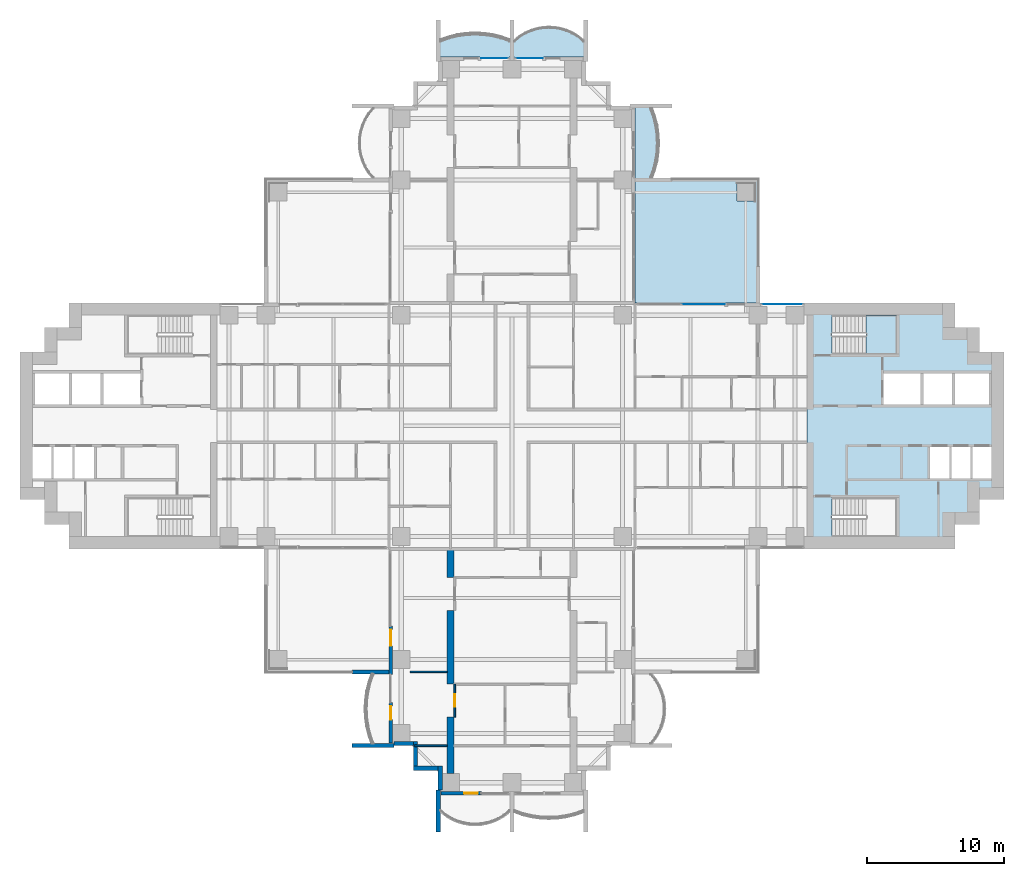
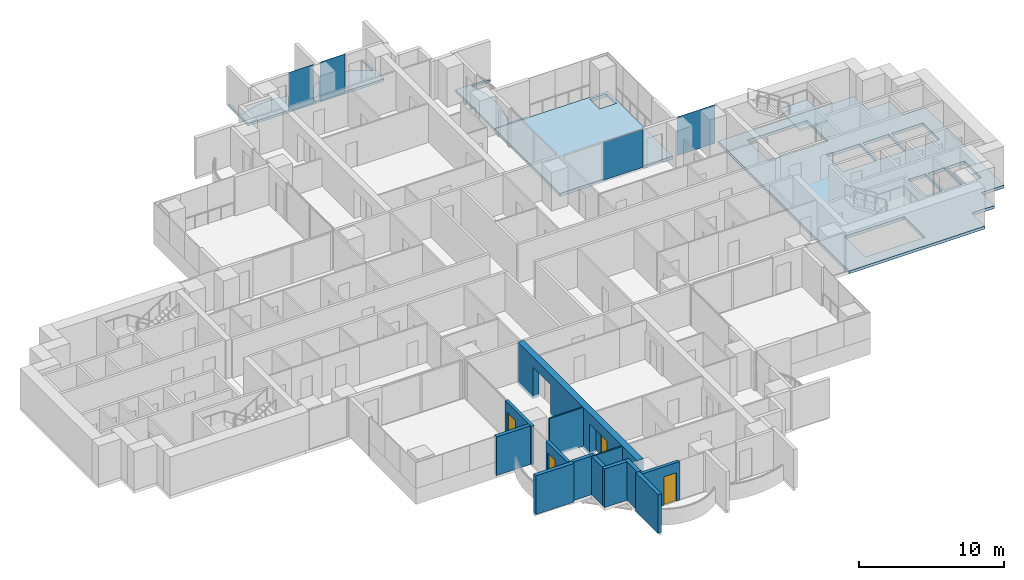
# One storey, part 9 of 20: 14 walls, 6 slabs, 4 doors, 4 plates, 4 openings, 5 elements without a shape of their own.
"""IFC4 building model written with IfcOpenShell, lengths in metres."""

from ifc_helpers import new_model, si_unit, direction, frame, frame_2d, origin, origin_2d, place, context, subcontext, project, spatial, polyline, rectangle, outline, extrude, material, layer, layer_set, material_profile, profile_set, type_object, element, fill, aggregate, save


model = new_model("IFC4")

# Units and contexts
model_context = context("Model", 3, precision=1e-05, world=origin(), true_north=direction((0.0, 1.0)))
body_context = subcontext(model_context, "Body", "Model", "MODEL_VIEW")
ifc_project = project(units=[si_unit("LENGTHUNIT", "METRE"), si_unit("AREAUNIT", "SQUARE_METRE"), si_unit("VOLUMEUNIT", "CUBIC_METRE"), si_unit("PLANEANGLEUNIT", "RADIAN"), si_unit("MASSUNIT", "GRAM", prefix="KILO")], contexts=[model_context])

# Site, building, storey
site_placement = place(None, origin())
site = spatial("IfcSite", under=ifc_project, at=site_placement, CompositionType="ELEMENT")
building_placement = place(site_placement, origin())
building = spatial("IfcBuilding", under=site, at=building_placement, Name="Perihelion Cross Residences", CompositionType="ELEMENT")
storey_placement = place(building_placement, frame((0.0, 0.0, 71.5)))
storey = spatial("IfcBuildingStorey", under=building, at=storey_placement, Name="L15", CompositionType="ELEMENT", Elevation=71.5)

# Slabs
ifc_material_1 = material(Name="Concrete C40/50", Category="concrete")
ifc_layer_1 = layer(ifc_material_1, 0.199951171875)
ifc_layer_set_1 = layer_set([ifc_layer_1], Name="Balcony slab 200")
slab_type_1 = type_object("IfcSlabType", Name="Balcony slab 200", PredefinedType="FLOOR", material=ifc_layer_set_1)
slab_1_placement = place(storey_placement, frame((0.0, 0.0, -0.199951171875)))
element("IfcSlab", 1, at=slab_1_placement, inside=storey, type_object=slab_type_1, Name="Slab BK1 L15 north side east bay 2 balcony", PredefinedType="FLOOR", context=body_context, shape_type="SweptSolid", body=[
    extrude(outline(polyline([(9.0, 18.0), (9.0, 23.39990234375), (11.699951171875, 23.39990234375), (11.699951171875, 23.25), (10.199951171875, 23.25), (10.423583984375, 22.612548828125), (10.57861328125, 21.97509765625), (10.669921875, 21.33740234375), (10.699951171875, 20.699951171875), (10.669921875, 20.0625), (10.57861328125, 19.425048828125), (10.423583984375, 18.78759765625), (10.199951171875, 18.14990234375), (11.699951171875, 18.14990234375), (11.699951171875, 18.0), (9.0, 18.0)])), origin(), (0.0, 0.0, 1.0), 0.199951171875),
])
slab_2_placement = place(storey_placement, frame((0.0, 0.0, -0.199951171875)))
element("IfcSlab", 2, at=slab_2_placement, inside=storey, type_object=slab_type_1, Name="Slab BK1 L15 north tip north bay 1 balcony", PredefinedType="FLOOR", context=body_context, shape_type="SweptSolid", body=[
    extrude(outline(polyline([(5.39990234375, 27.0), (0.0, 27.0), (0.0, 29.699951171875), (0.14990234375, 29.699951171875), (0.14990234375, 28.199951171875), (0.574951171875, 28.5400390625), (1.0, 28.792724609375), (1.425048828125, 28.9765625), (1.85009765625, 29.1025390625), (2.27490234375, 29.17578125), (2.699951171875, 29.199951171875), (3.125, 29.17578125), (3.550048828125, 29.1025390625), (3.97509765625, 28.9765625), (4.39990234375, 28.792724609375), (4.824951171875, 28.5400390625), (5.25, 28.199951171875), (5.25, 29.699951171875), (5.39990234375, 29.699951171875), (5.39990234375, 27.0)])), origin(), (0.0, 0.0, 1.0), 0.199951171875),
])
slab_3_placement = place(storey_placement, frame((0.0, 0.0, -0.199951171875)))
element("IfcSlab", 3, at=slab_3_placement, inside=storey, type_object=slab_type_1, Name="Slab BK1 L15 north tip north bay 2 balcony", PredefinedType="FLOOR", context=body_context, shape_type="SweptSolid", body=[
    extrude(outline(polyline([(0.0, 27.0), (-5.39990234375, 27.0), (-5.39990234375, 29.699951171875), (-5.25, 29.699951171875), (-5.25, 28.199951171875), (-4.612548828125, 28.423583984375), (-3.97509765625, 28.57861328125), (-3.33740234375, 28.669921875), (-2.699951171875, 28.699951171875), (-2.0625, 28.669921875), (-1.425048828125, 28.57861328125), (-0.78759765625, 28.423583984375), (-0.14990234375, 28.199951171875), (-0.14990234375, 29.699951171875), (0.0, 29.699951171875), (0.0, 27.0)])), origin(), (0.0, 0.0, 1.0), 0.199951171875),
])

# Curtain wall, plate
ifc_material_2 = material(Name="Bronze anodised aluminium, tinted glazing", Category="aluminium")
curtain_wall_type = type_object("IfcCurtainWallType", Name="CW1", PredefinedType="NOTDEFINED", material=ifc_material_2)
curtain_wall_1_placement = place(storey_placement, origin())
curtain_wall_1 = element("IfcCurtainWall", 4, at=curtain_wall_1_placement, inside=storey, type_object=curtain_wall_type, Name="Curtain wall CW1 L15 east side north bay 1", PredefinedType="NOTDEFINED")
ifc_material_3 = material(Name="Tinted laminated glass", Category="glass")
ifc_layer_2 = layer(ifc_material_3, 0.028076171875)
ifc_layer_set_2 = layer_set([ifc_layer_2], Name="CW1 panel")
plate_type = type_object("IfcPlateType", Name="CW1 panel", PredefinedType="CURTAIN_PANEL", material=ifc_layer_set_2)
plate_1_placement = place(storey_placement, frame((19.77490234375, 8.89990234375, 0.0), z_axis=(0.0, 0.0, 1.0), x_axis=(-1.0, 0.0, 0.0)))
plate_1 = element("IfcPlate", 5, at=plate_1_placement, type_object=plate_type, Name="CW1 panel 1", PredefinedType="CURTAIN_PANEL", context=body_context, shape_type="SweptSolid", body=[
    extrude(rectangle(XDim=3.030029296875, YDim=0.028076171875, at=origin_2d()), origin(), (0.0, 0.0, 1.0), 3.25),
])
aggregate(curtain_wall_1, [plate_1])

curtain_wall_2_placement = place(storey_placement, origin())
curtain_wall_2 = element("IfcCurtainWall", 6, at=curtain_wall_2_placement, inside=storey, type_object=curtain_wall_type, Name="Curtain wall CW1 L15 east side north bay 2", PredefinedType="NOTDEFINED")
plate_2_placement = place(storey_placement, frame((13.9775390625, 8.89990234375, 0.0), z_axis=(0.0, 0.0, 1.0), x_axis=(-1.0, 0.0, 0.0)))
plate_2 = element("IfcPlate", 7, at=plate_2_placement, type_object=plate_type, Name="CW1 panel 1", PredefinedType="CURTAIN_PANEL", context=body_context, shape_type="SweptSolid", body=[
    extrude(rectangle(XDim=3.14501953125, YDim=0.028076171875, at=origin_2d()), origin(), (0.0, 0.0, 1.0), 3.18994140625),
])
aggregate(curtain_wall_2, [plate_2])

curtain_wall_3_placement = place(storey_placement, origin())
curtain_wall_3 = element("IfcCurtainWall", 8, at=curtain_wall_3_placement, inside=storey, type_object=curtain_wall_type, Name="Curtain wall CW1 L15 north tip north bay 1", PredefinedType="NOTDEFINED")
plate_3_placement = place(storey_placement, frame((1.2548828125, 26.89990234375, 0.0), z_axis=(0.0, 0.0, 1.0), x_axis=(-1.0, 0.0, 0.0)))
plate_3 = element("IfcPlate", 9, at=plate_3_placement, type_object=plate_type, Name="CW1 panel 1", PredefinedType="CURTAIN_PANEL", context=body_context, shape_type="SweptSolid", body=[
    extrude(rectangle(XDim=1.989990234375, YDim=0.028076171875, at=origin_2d()), origin(), (0.0, 0.0, 1.0), 3.25),
])
aggregate(curtain_wall_3, [plate_3])

curtain_wall_4_placement = place(storey_placement, origin())
curtain_wall_4 = element("IfcCurtainWall", 10, at=curtain_wall_4_placement, inside=storey, type_object=curtain_wall_type, Name="Curtain wall CW1 L15 north tip north bay 2", PredefinedType="NOTDEFINED")
plate_4_placement = place(storey_placement, frame((-1.2548828125, 26.89990234375, 0.0), z_axis=(0.0, 0.0, 1.0), x_axis=(-1.0, 0.0, 0.0)))
plate_4 = element("IfcPlate", 11, at=plate_4_placement, type_object=plate_type, Name="CW1 panel 1", PredefinedType="CURTAIN_PANEL", context=body_context, shape_type="SweptSolid", body=[
    extrude(rectangle(XDim=1.989990234375, YDim=0.028076171875, at=origin_2d()), origin(), (0.0, 0.0, 1.0), 3.25),
])
aggregate(curtain_wall_4, [plate_4])

# Slabs
ifc_material_4 = material(Name="Concrete C40/50", Category="concrete")
ifc_layer_3 = layer(ifc_material_4, 0.25)
ifc_layer_set_3 = layer_set([ifc_layer_3], Name="Core floor slab 250")
slab_type_2 = type_object("IfcSlabType", Name="Core floor slab 250", PredefinedType="FLOOR", material=ifc_layer_set_3)
slab_4_placement = place(storey_placement, frame((0.0, 0.0, -0.25)))
element("IfcSlab", 12, at=slab_4_placement, inside=storey, type_object=slab_type_2, Name="East core floor slab", PredefinedType="FLOOR", context=body_context, shape_type="SweptSolid", body=[
    extrude(outline(polyline([(32.39990234375, 7.199951171875), (34.199951171875, 7.199951171875), (34.199951171875, 5.39990234375), (36.0, 5.39990234375), (36.0, -5.39990234375), (34.199951171875, -5.39990234375), (34.199951171875, -7.199951171875), (32.39990234375, -7.199951171875), (32.39990234375, -9.0), (21.60009765625, -9.0), (21.60009765625, 9.0), (32.39990234375, 9.0), (32.39990234375, 7.199951171875)]), holes=[polyline([(23.405029296875, -8.10009765625), (28.14990234375, -8.10009765625), (28.14990234375, -5.25), (23.405029296875, -5.25), (23.405029296875, -8.10009765625)]), polyline([(30.60009765625, -1.550048828125), (30.60009765625, -3.85009765625), (32.0, -3.85009765625), (32.0, -1.550048828125), (30.60009765625, -1.550048828125)]), polyline([(32.14990234375, -1.550048828125), (32.14990234375, -3.85009765625), (33.550048828125, -3.85009765625), (33.550048828125, -1.550048828125), (32.14990234375, -1.550048828125)]), polyline([(33.699951171875, -1.550048828125), (33.699951171875, -3.85009765625), (35.10009765625, -3.85009765625), (35.10009765625, -1.550048828125), (33.699951171875, -1.550048828125)]), polyline([(27.199951171875, 3.85009765625), (27.199951171875, 1.550048828125), (29.89990234375, 1.550048828125), (29.89990234375, 3.85009765625), (27.199951171875, 3.85009765625)]), polyline([(30.10009765625, 3.85009765625), (30.10009765625, 1.550048828125), (32.199951171875, 1.550048828125), (32.199951171875, 3.85009765625), (30.10009765625, 3.85009765625)]), polyline([(32.39990234375, 3.85009765625), (32.39990234375, 1.550048828125), (34.89990234375, 1.550048828125), (34.89990234375, 3.85009765625), (32.39990234375, 3.85009765625)]), polyline([(23.405029296875, 5.25), (28.14990234375, 5.25), (28.14990234375, 8.10009765625), (23.405029296875, 8.10009765625), (23.405029296875, 5.25)])]), origin(), (0.0, 0.0, 1.0), 0.25),
])
ifc_material_5 = material(Name="Concrete C40/50", Category="concrete")
ifc_layer_4 = layer(ifc_material_5, 0.25)
ifc_layer_set_4 = layer_set([ifc_layer_4], Name="Corner terrace slab")
slab_type_3 = type_object("IfcSlabType", Name="Corner terrace slab", PredefinedType="FLOOR", material=ifc_layer_set_4)
slab_5_placement = place(storey_placement, frame((0.0, 0.0, -0.25)))
element("IfcSlab", 13, at=slab_5_placement, inside=storey, type_object=slab_type_3, Name="Slab BK2 L15 pocket north-east", PredefinedType="FLOOR", context=body_context, shape_type="SweptSolid", body=[
    extrude(outline(polyline([(18.0, 9.0), (18.0, 18.0), (9.0, 18.0), (9.0, 9.0), (18.0, 9.0)]), holes=[polyline([(16.449951171875, 16.449951171875), (16.449951171875, 17.7900390625), (17.7900390625, 17.7900390625), (17.7900390625, 16.409912109375), (17.75, 16.409912109375), (17.75, 16.449951171875), (16.449951171875, 16.449951171875)])]), origin(), (0.0, 0.0, 1.0), 0.25),
])

# Stair, slab
ifc_material_6 = material(Name="Concrete C40/50", Category="concrete")
stair_type = type_object("IfcStairType", Name="Exit stair, half-turn", PredefinedType="HALF_TURN_STAIR", material=ifc_material_6)
stair_placement = place(storey_placement, origin())
stair = element("IfcStair", 14, at=stair_placement, inside=storey, type_object=stair_type, Name="L15 East core exit stair 1", PredefinedType="HALF_TURN_STAIR")
ifc_material_7 = material(Name="Concrete C40/50", Category="concrete")
ifc_layer_5 = layer(ifc_material_7, 0.199951171875)
ifc_layer_set_5 = layer_set([ifc_layer_5], Name="Exit stair landing 200")
slab_type_4 = type_object("IfcSlabType", Name="Exit stair landing 200", PredefinedType="LANDING", material=ifc_layer_set_5)
slab_6_placement = place(storey_placement, frame((0.0, 0.0, 1.550048828125)))
slab_6 = element("IfcSlab", 15, at=slab_6_placement, type_object=slab_type_4, Name="ST-E1 landing 1", PredefinedType="LANDING", context=body_context, shape_type="SweptSolid", body=[
    extrude(outline(polyline([(25.919921875, 5.25), (28.14990234375, 5.25), (28.14990234375, 8.10009765625), (25.919921875, 8.10009765625), (25.919921875, 5.25)])), origin(), (0.0, 0.0, 1.0), 0.199951171875),
])
aggregate(stair, [slab_6])

# Wall, opening, door
ifc_material_8 = material(Name="Concrete C30/37, bronze-clad", Category="concrete")
ifc_layer_6 = layer(ifc_material_8, 0.25)
ifc_layer_set_6 = layer_set([ifc_layer_6], Name="Bronze-clad pier wall 250")
wall_type_1 = type_object("IfcWallType", Name="Bronze-clad pier wall 250", PredefinedType="SOLIDWALL", material=ifc_layer_set_6)
wall_1_placement = place(storey_placement, frame((-8.875, -14.64990234375, 0.0), z_axis=(0.0, 0.0, 1.0), x_axis=(0.0, -1.0, 0.0)))
wall_1 = element("IfcWall", 16, at=wall_1_placement, inside=storey, type_object=wall_type_1, Name="Wall FW1 L15 south side west bay 1 pier", PredefinedType="SOLIDWALL", context=body_context, shape_type="SweptSolid", body=[
    extrude(rectangle(XDim=3.550048828125, YDim=0.25, at=frame_2d((1.77490234375, 0.0))), origin(), (0.0, 0.0, 1.0), 3.25),
])
opening_1_placement = place(wall_1_placement, frame((0.25, 0.0, 0.0)))
opening_1 = element("IfcOpeningElement", 17, at=opening_1_placement, cuts=wall_1, Name="Opening L15.E10", PredefinedType="OPENING", context=body_context, shape_type="SweptSolid", body=[
    extrude(rectangle(XDim=1.199951171875, YDim=2.39990234375, at=frame_2d((0.60009765625, 1.199951171875))), frame((0.0, 0.135009765625, 0.0), z_axis=(0.0, -1.0, 0.0), x_axis=(1.0, 0.0, 0.0)), (0.0, 0.0, 1.0), 0.27001953125),
])
ifc_material_9 = material(Name="Bronze anodised aluminium, glazed", Category="aluminium")
door_type_1 = type_object("IfcDoorType", Name="Balcony door 1200 x 2400", OperationType="NOTDEFINED", PredefinedType="DOOR", material=ifc_material_9)
door_1_placement = place(opening_1_placement, origin())
door_1 = element("IfcDoor", 18, at=door_1_placement, inside=storey, type_object=door_type_1, Name="Door L15.E10 south side west bay 1", OperationType="SINGLE_SWING_LEFT", OverallHeight=2.39990234375, OverallWidth=1.199951171875, PredefinedType="DOOR", context=body_context, shape_type="SweptSolid", body=[
    extrude(rectangle(XDim=1.199951171875, YDim=2.39990234375, at=frame_2d((0.60009765625, 1.199951171875))), frame((0.0, 0.02490234375, 0.0), z_axis=(0.0, -1.0, 0.0), x_axis=(1.0, 0.0, 0.0)), (0.0, 0.0, 1.0), 0.050048828125),
])
fill(opening_1, door_1)

wall_2_placement = place(storey_placement, frame((-8.875, -20.25, 0.0), z_axis=(0.0, 0.0, 1.0), x_axis=(0.0, -1.0, 0.0)))
wall_2 = element("IfcWall", 19, at=wall_2_placement, inside=storey, type_object=wall_type_1, Name="Wall FW1 L15 south side west bay 2 pier", PredefinedType="SOLIDWALL", context=body_context, shape_type="SweptSolid", body=[
    extrude(rectangle(XDim=2.949951171875, YDim=0.25, at=frame_2d((1.47509765625, 0.0))), origin(), (0.0, 0.0, 1.0), 3.25),
])
opening_2_placement = place(wall_2_placement, frame((0.25, 0.0, 0.0)))
opening_2 = element("IfcOpeningElement", 20, at=opening_2_placement, cuts=wall_2, Name="Opening L15.E11", PredefinedType="OPENING", context=body_context, shape_type="SweptSolid", body=[
    extrude(rectangle(XDim=1.0, YDim=2.39990234375, at=frame_2d((0.5, 1.199951171875))), frame((0.0, 0.135009765625, 0.0), z_axis=(0.0, -1.0, 0.0), x_axis=(1.0, 0.0, 0.0)), (0.0, 0.0, 1.0), 0.27001953125),
])
ifc_material_10 = material(Name="Bronze anodised aluminium, glazed", Category="aluminium")
door_type_2 = type_object("IfcDoorType", Name="Balcony door 1000 x 2400", OperationType="NOTDEFINED", PredefinedType="DOOR", material=ifc_material_10)
door_2_placement = place(opening_2_placement, origin())
door_2 = element("IfcDoor", 21, at=door_2_placement, inside=storey, type_object=door_type_2, Name="Door L15.E11 south side west bay 2", OperationType="SINGLE_SWING_RIGHT", OverallHeight=2.39990234375, OverallWidth=1.0, PredefinedType="DOOR", context=body_context, shape_type="SweptSolid", body=[
    extrude(rectangle(XDim=1.0, YDim=2.39990234375, at=frame_2d((0.5, 1.199951171875))), frame((0.0, 0.02490234375, 0.0), z_axis=(0.0, -1.0, 0.0), x_axis=(1.0, 0.0, 0.0)), (0.0, 0.0, 1.0), 0.050048828125),
])
fill(opening_2, door_2)

wall_3_placement = place(storey_placement, frame((-5.199951171875, -26.875, 0.0), z_axis=(0.0, 0.0, 1.0), x_axis=(1.0, 0.0, 0.0)))
wall_3 = element("IfcWall", 22, at=wall_3_placement, inside=storey, type_object=wall_type_1, Name="Wall FW1 L15 south tip south bay 1 pier", PredefinedType="SOLIDWALL", context=body_context, shape_type="SweptSolid", body=[
    extrude(rectangle(XDim=2.949951171875, YDim=0.25, at=frame_2d((1.47509765625, 0.0))), origin(), (0.0, 0.0, 1.0), 3.25),
])
opening_3_placement = place(wall_3_placement, frame((1.699951171875, 0.0, 0.0)))
opening_3 = element("IfcOpeningElement", 23, at=opening_3_placement, cuts=wall_3, Name="Opening L15.E12", PredefinedType="OPENING", context=body_context, shape_type="SweptSolid", body=[
    extrude(rectangle(XDim=1.0, YDim=2.39990234375, at=frame_2d((0.5, 1.199951171875))), frame((0.0, 0.135009765625, 0.0), z_axis=(0.0, -1.0, 0.0), x_axis=(1.0, 0.0, 0.0)), (0.0, 0.0, 1.0), 0.27001953125),
])
door_3_placement = place(opening_3_placement, origin())
door_3 = element("IfcDoor", 24, at=door_3_placement, inside=storey, type_object=door_type_2, Name="Door L15.E12 south tip south bay 1", OperationType="SINGLE_SWING_LEFT", OverallHeight=2.39990234375, OverallWidth=1.0, PredefinedType="DOOR", context=body_context, shape_type="SweptSolid", body=[
    extrude(rectangle(XDim=1.0, YDim=2.39990234375, at=frame_2d((0.5, 1.199951171875))), frame((0.0, 0.02490234375, 0.0), z_axis=(0.0, -1.0, 0.0), x_axis=(1.0, 0.0, 0.0)), (0.0, 0.0, 1.0), 0.050048828125),
])
fill(opening_3, door_3)

# Walls
ifc_material_11 = material(Name="Concrete C30/37, bronze-clad", Category="concrete")
ifc_layer_7 = layer(ifc_material_11, 0.300048828125)
ifc_layer_set_7 = layer_set([ifc_layer_7], Name="Bronze-clad serration wall 300")
wall_type_2 = type_object("IfcWallType", Name="Bronze-clad serration wall 300", PredefinedType="SOLIDWALL", material=ifc_layer_set_7)
wall_4_placement = place(storey_placement, frame((-8.64990234375, -23.25, 0.0), z_axis=(0.0, 0.0, 1.0), x_axis=(1.0, 0.0, 0.0)))
element("IfcWall", 25, at=wall_4_placement, inside=storey, type_object=wall_type_2, Name="Wall SR1 L15 south corner south-west 1", PredefinedType="SOLIDWALL", context=body_context, shape_type="SweptSolid", body=[
    extrude(rectangle(XDim=1.449951171875, YDim=0.300048828125, at=frame_2d((0.72509765625, 0.0))), origin(), (0.0, 0.0, 1.0), 3.25),
])
wall_5_placement = place(storey_placement, frame((-7.050048828125, -23.10009765625, 0.0), z_axis=(0.0, 0.0, 1.0), x_axis=(0.0, -1.0, 0.0)))
element("IfcWall", 26, at=wall_5_placement, inside=storey, type_object=wall_type_2, Name="Wall SR1 L15 south corner south-west 2", PredefinedType="SOLIDWALL", context=body_context, shape_type="SweptSolid", body=[
    extrude(rectangle(XDim=1.7998046875, YDim=0.300048828125, at=frame_2d((0.89990234375, 0.0))), origin(), (0.0, 0.0, 1.0), 3.25),
])
wall_6_placement = place(storey_placement, frame((-7.199951171875, -25.050048828125, 0.0), z_axis=(0.0, 0.0, 1.0), x_axis=(1.0, 0.0, 0.0)))
element("IfcWall", 27, at=wall_6_placement, inside=storey, type_object=wall_type_2, Name="Wall SR1 L15 south corner south-west 3", PredefinedType="SOLIDWALL", context=body_context, shape_type="SweptSolid", body=[
    extrude(rectangle(XDim=1.800048828125, YDim=0.300048828125, at=frame_2d((0.89990234375, 0.0))), origin(), (0.0, 0.0, 1.0), 3.25),
])
wall_7_placement = place(storey_placement, frame((-5.25, -24.89990234375, 0.0), z_axis=(0.0, 0.0, 1.0), x_axis=(0.0, -1.0, 0.0)))
element("IfcWall", 28, at=wall_7_placement, inside=storey, type_object=wall_type_2, Name="Wall SR1 L15 south corner south-west 4", PredefinedType="SOLIDWALL", context=body_context, shape_type="SweptSolid", body=[
    extrude(rectangle(XDim=1.75, YDim=0.300048828125, at=frame_2d((0.875, 0.0))), origin(), (0.0, 0.0, 1.0), 3.25),
])

# Wall, opening, door
ifc_material_12 = material(Name="Plasterboard partition")
ifc_layer_8 = layer(ifc_material_12, 0.1201171875)
ifc_layer_set_8 = layer_set([ifc_layer_8], Name="Infill panel 120")
wall_type_3 = type_object("IfcWallType", Name="Infill panel 120", PredefinedType="PARTITIONING", material=ifc_layer_set_8)
wall_8_placement = place(storey_placement, frame((-4.18994140625, -18.89990234375, 0.0), z_axis=(0.0, 0.0, 1.0), x_axis=(0.0, -1.0, 0.0)))
wall_8 = element("IfcWall", 29, at=wall_8_placement, inside=storey, type_object=wall_type_3, Name="Partition L15 WI08", PredefinedType="PARTITIONING", context=body_context, shape_type="SweptSolid", body=[
    extrude(rectangle(XDim=2.400146484375, YDim=0.1201171875, at=frame_2d((1.2001953125, 0.0))), origin(), (0.0, 0.0, 1.0), 2.39990234375),
])
opening_4_placement = place(wall_8_placement, frame((0.75, 0.0, 0.0)))
opening_4 = element("IfcOpeningElement", 30, at=opening_4_placement, cuts=wall_8, Name="Opening L15.A57", PredefinedType="OPENING", context=body_context, shape_type="SweptSolid", body=[
    extrude(rectangle(XDim=0.89990234375, YDim=2.10009765625, at=frame_2d((0.449951171875, 1.050048828125))), frame((0.0, 0.070068359375, 0.0), z_axis=(0.0, -1.0, 0.0), x_axis=(1.0, 0.0, 0.0)), (0.0, 0.0, 1.0), 0.14013671875),
])
ifc_material_13 = material(Name="Timber door leaf", Category="wood")
door_type_3 = type_object("IfcDoorType", Name="Interior room door 900 x 2100", OperationType="SINGLE_SWING_LEFT", PredefinedType="DOOR", material=ifc_material_13)
door_4_placement = place(opening_4_placement, origin())
door_4 = element("IfcDoor", 31, at=door_4_placement, inside=storey, type_object=door_type_3, Name="Door L15.A57", OperationType="SINGLE_SWING_LEFT", OverallHeight=2.10009765625, OverallWidth=0.89990234375, PredefinedType="DOOR", context=body_context, shape_type="SweptSolid", body=[
    extrude(rectangle(XDim=0.89990234375, YDim=2.10009765625, at=frame_2d((0.449951171875, 1.050048828125))), frame((0.0, 0.02490234375, 0.0), z_axis=(0.0, -1.0, 0.0), x_axis=(1.0, 0.0, 0.0)), (0.0, 0.0, 1.0), 0.050048828125),
])
fill(opening_4, door_4)

# Walls
ifc_material_14 = material(Name="Plasterboard partition")
ifc_layer_9 = layer(ifc_material_14, 0.1201171875)
ifc_layer_set_9 = layer_set([ifc_layer_9], Name="Partition wall 120")
wall_type_4 = type_object("IfcWallType", Name="Partition wall 120", PredefinedType="PARTITIONING", material=ifc_layer_set_9)
wall_9_placement = place(storey_placement, frame((-4.75, -18.0, 0.0), z_axis=(0.0, 0.0, 1.0), x_axis=(-1.0, 0.0, 0.0)))
element("IfcWall", 32, at=wall_9_placement, inside=storey, type_object=wall_type_4, Name="Partition L15 W077", PredefinedType="PARTITIONING", context=body_context, shape_type="SweptSolid", body=[
    extrude(rectangle(XDim=2.699951171875, YDim=0.1201171875, at=frame_2d((1.35009765625, 0.0))), origin(), (0.0, 0.0, 1.0), 3.25),
])
wall_10_placement = place(storey_placement, frame((-4.75, -23.39990234375, 0.0), z_axis=(0.0, 0.0, 1.0), x_axis=(-1.0, 0.0, 0.0)))
element("IfcWall", 33, at=wall_10_placement, inside=storey, type_object=wall_type_4, Name="Partition L15 W078", PredefinedType="PARTITIONING", context=body_context, shape_type="SweptSolid", body=[
    extrude(rectangle(XDim=2.3701171875, YDim=0.1201171875, at=frame_2d((1.18505859375, 0.0))), origin(), (0.0, 0.0, 1.0), 3.25),
])
ifc_material_15 = material(Name="Precast concrete C50/60", Category="concrete")
ifc_layer_10 = layer(ifc_material_15, 0.300048828125)
ifc_layer_set_10 = layer_set([ifc_layer_10], Name="Precast concrete C50/60 blade wall 300")
wall_type_5 = type_object("IfcWallType", Name="Precast concrete C50/60 blade wall 300", PredefinedType="SOLIDWALL", material=ifc_layer_set_10)
wall_11_placement = place(storey_placement, frame((-8.64990234375, -23.39990234375, 0.0), z_axis=(0.0, 0.0, 1.0), x_axis=(-1.0, 0.0, 0.0)))
element("IfcWall", 34, at=wall_11_placement, inside=storey, type_object=wall_type_5, Name="Wall BL1 L15 no. 6", PredefinedType="SOLIDWALL", context=body_context, shape_type="SweptSolid", body=[
    extrude(rectangle(XDim=3.050048828125, YDim=0.300048828125, at=frame_2d((1.52490234375, 0.0))), origin(), (0.0, 0.0, 1.0), 3.25),
])
wall_12_placement = place(storey_placement, frame((-9.0, -18.0, 0.0), z_axis=(0.0, 0.0, 1.0), x_axis=(-1.0, 0.0, 0.0)))
element("IfcWall", 35, at=wall_12_placement, inside=storey, type_object=wall_type_5, Name="Wall BL1 L15 no. 5", PredefinedType="SOLIDWALL", context=body_context, shape_type="SweptSolid", body=[
    extrude(rectangle(XDim=2.699951171875, YDim=0.300048828125, at=frame_2d((1.35009765625, 0.0))), origin(), (0.0, 0.0, 1.0), 3.25),
])
wall_13_placement = place(storey_placement, frame((-5.39990234375, -26.64990234375, 0.0), z_axis=(0.0, 0.0, 1.0), x_axis=(0.0, -1.0, 0.0)))
element("IfcWall", 36, at=wall_13_placement, inside=storey, type_object=wall_type_5, Name="Wall BL1 L15 no. 3", PredefinedType="SOLIDWALL", context=body_context, shape_type="SweptSolid", body=[
    extrude(rectangle(XDim=3.050048828125, YDim=0.300048828125, at=frame_2d((1.52490234375, 0.0))), origin(), (0.0, 0.0, 1.0), 3.25),
])
ifc_material_16 = material(Name="Concrete C60/75", Category="concrete")
ifc_material_profile = material_profile(ifc_material_16, outline(polyline([(0.0, 0.0), (4.14990234375, 0.0), (4.14990234375, 2.64990234375), (6.550048828125, 2.64990234375), (6.550048828125, 0.0), (11.949951171875, 0.0), (11.949951171875, 2.64990234375), (14.35009765625, 2.64990234375), (14.35009765625, 0.0), (16.449951171875, 0.0), (16.449951171875, 3.5), (0.0, 3.5), (0.0, 0.0)])), Name="Tip spine wall")
ifc_profile_set = profile_set([ifc_material_profile], Name="Concrete C60/75")
wall_type_6 = type_object("IfcWallType", Name="Tip spine wall 500 with 2 door openings 16450 long 3500 high concrete C60/75 hand A", PredefinedType="SHEAR", material=ifc_profile_set)
wall_14_placement = place(storey_placement, frame((-4.75, -25.449951171875, -0.25), z_axis=(1.0, 0.0, 0.0), x_axis=(0.0, 1.0, 0.0)))
element("IfcWall", 37, at=wall_14_placement, inside=storey, type_object=wall_type_6, Name="Shear wall SW24 L15 south west", PredefinedType="SHEAR", context=body_context, shape_type="SweptSolid", body=[
    extrude(outline(polyline([(0.0, 0.0), (4.14990234375, 0.0), (4.14990234375, 2.64990234375), (6.550048828125, 2.64990234375), (6.550048828125, 0.0), (11.949951171875, 0.0), (11.949951171875, 2.64990234375), (14.35009765625, 2.64990234375), (14.35009765625, 0.0), (16.449951171875, 0.0), (16.449951171875, 3.5), (0.0, 3.5), (0.0, 0.0)])), origin(), (0.0, 0.0, 1.0), 0.5),
])

save(model, "model.ifc")
